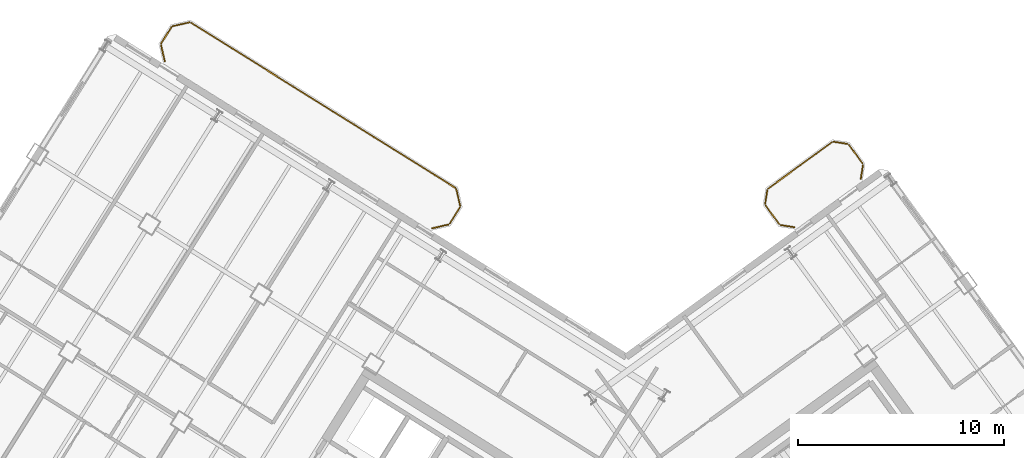
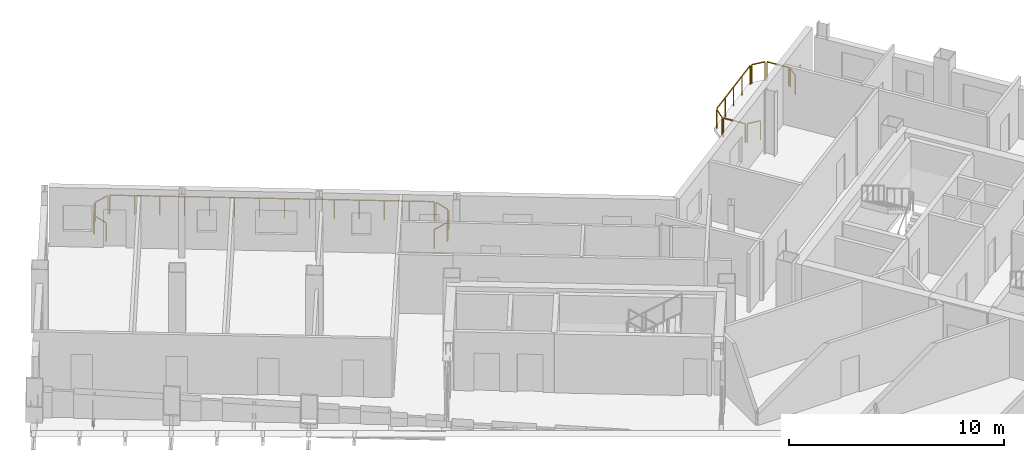
# One storey, part 20 of 20: 14 railings.
"""IFC4 building model written with IfcOpenShell, lengths in metres."""

import ifcopenshell
import ifcopenshell.guid

model = None  # the IFC model being written
_history = None  # IfcOwnerHistory: only IFC2X3 demands one
_inside = {}  # id of a spatial element -> (the spatial element, [elements in it])
_under = {}  # id of a project, library or spatial element -> (it, [spatial elements below it])
_declared = {}  # id of a project -> (the project, [libraries it declares])
_typed = {}  # id of a type object -> (the type object, [elements of that type])
_made_of = {}  # id of a material, layer set ... -> (it, [elements and type objects made of it])


def new_model(schema):
    """Start an empty IFC model of exactly this schema.

    Asked for "IFC4X3", IfcOpenShell would pick the latest addendum, in which some entities
    have other attributes; the version numbers below select the first issue.
    IFC2X3 requires an IfcOwnerHistory on every rooted entity: one is made here for all.
    """
    global model, _history
    if schema == "IFC4X3":
        model = ifcopenshell.file(schema_version=(4, 3, 0, 0))
    else:
        model = ifcopenshell.file(schema=schema)
    _inside.clear()
    _under.clear()
    _declared.clear()
    _typed.clear()
    _made_of.clear()
    _history = None
    if model.schema == "IFC2X3":
        org = make("IfcOrganization", Name="unknown")
        user = make(
            "IfcPersonAndOrganization",
            ThePerson=make("IfcPerson", FamilyName="unknown"),
            TheOrganization=org,
        )
        app = make(
            "IfcApplication",
            ApplicationDeveloper=org,
            Version="unknown",
            ApplicationFullName="unknown",
            ApplicationIdentifier="unknown",
        )
        _history = make(
            "IfcOwnerHistory",
            OwningUser=user,
            OwningApplication=app,
            ChangeAction="ADDED",
            CreationDate=0,
        )
    return model


def make(cls, **values):
    """One entity of the class cls with the attributes given. An attribute that is None is left unset."""
    return model.create_entity(
        cls, **{name: value for name, value in values.items() if value is not None}
    )


def rooted(cls, **values):
    """An entity with a GlobalId (a new one), such as an element, a storey or a relation."""
    return make(cls, GlobalId=ifcopenshell.guid.new(), OwnerHistory=_history, **values)


def si_unit(unit_type, name, prefix=None):
    """IfcSIUnit, for example si_unit("LENGTHUNIT", "METRE", prefix="MILLI")."""
    return make("IfcSIUnit", UnitType=unit_type, Prefix=prefix, Name=name)


def assignment(units):
    """IfcUnitAssignment: the units of a project."""
    return None if units is None else make("IfcUnitAssignment", Units=units)


def point(xyz):
    """IfcCartesianPoint."""
    return None if xyz is None else make("IfcCartesianPoint", Coordinates=xyz)


def direction(xyz):
    """IfcDirection."""
    return None if xyz is None else make("IfcDirection", DirectionRatios=xyz)


def frame(location, z_axis=None, x_axis=None):
    """IfcAxis2Placement3D, a coordinate frame: its origin and axes. An axis left out is left unset."""
    return make(
        "IfcAxis2Placement3D",
        Location=point(location),
        Axis=direction(z_axis),
        RefDirection=direction(x_axis),
    )


def frame_2d(location, x_axis=None):
    """IfcAxis2Placement2D, a coordinate frame in the plane: its origin and x axis."""
    return make(
        "IfcAxis2Placement2D", Location=point(location), RefDirection=direction(x_axis)
    )


def origin():
    """The frame at (0, 0, 0) with its axes left unset."""
    return frame((0.0, 0.0, 0.0))


def origin_2d():
    """The frame at (0, 0) in the plane with its x axis left unset."""
    return frame_2d((0.0, 0.0))


def place(relative_to, where):
    """IfcLocalPlacement: puts the frame where relative to a parent placement (None: the world)."""
    return make(
        "IfcLocalPlacement", PlacementRelTo=relative_to, RelativePlacement=where
    )


def context(
    kind, dimensions, precision=None, world=None, true_north=None, identifier=None
):
    """IfcGeometricRepresentationContext, for example the 3D "Model" context."""
    return make(
        "IfcGeometricRepresentationContext",
        ContextIdentifier=identifier,
        ContextType=kind,
        CoordinateSpaceDimension=dimensions,
        Precision=precision,
        WorldCoordinateSystem=world,
        TrueNorth=true_north,
    )


def subcontext(parent, identifier, kind, view, scale=None):
    """IfcGeometricRepresentationSubContext, for example "Body" below "Model"."""
    return make(
        "IfcGeometricRepresentationSubContext",
        ContextIdentifier=identifier,
        ContextType=kind,
        ParentContext=parent,
        TargetScale=scale,
        TargetView=view,
    )


def project(units=None, contexts=None):
    """IfcProject with its units and contexts."""
    return rooted(
        "IfcProject",
        Name="project",
        RepresentationContexts=contexts,
        UnitsInContext=assignment(units),
    )


def spatial(cls, under=None, at=None, **own):
    """A site, building, storey or space (cls), placed at a placement, below another one or the project."""
    s = rooted(cls, ObjectPlacement=at, **own)
    if under is not None:
        _under.setdefault(under.id(), (under, []))[1].append(s)
    return s


def profile(cls, at=None, kind="AREA", **sizes):
    """A parametric profile (cls). Its sizes go by their IFC names, for example OverallWidth=200.0."""
    return make(cls, ProfileType=kind, Position=at, **sizes)


def rectangle(**sizes):
    """IfcRectangleProfileDef."""
    return profile("IfcRectangleProfileDef", **sizes)


def extrude(swept, where, along, depth):
    """IfcExtrudedAreaSolid: the profile swept, set in the frame where, extruded along a direction by depth."""
    return make(
        "IfcExtrudedAreaSolid",
        SweptArea=swept,
        Position=where,
        ExtrudedDirection=direction(along),
        Depth=depth,
    )


def shape(context_of_items, identifier, shape_type, items):
    """IfcShapeRepresentation: the items that make up one representation, for example the "Body"."""
    return make(
        "IfcShapeRepresentation",
        ContextOfItems=context_of_items,
        RepresentationIdentifier=identifier,
        RepresentationType=shape_type,
        Items=items,
    )


def source(mapping_origin, context_of_items, identifier, shape_type, items):
    """IfcRepresentationMap: a shape defined once, which mapped items show again and again."""
    return make(
        "IfcRepresentationMap",
        MappingOrigin=mapping_origin,
        MappedRepresentation=shape(context_of_items, identifier, shape_type, items),
    )


def transform(
    local_origin,
    x_axis=None,
    y_axis=None,
    z_axis=None,
    scale=None,
    scale2=None,
    scale3=None,
    uniform=True,
):
    """IfcCartesianTransformationOperator3D, or its non-uniform kind. x_axis, y_axis, z_axis: its Axis1, 2, 3."""
    if uniform:
        return make(
            "IfcCartesianTransformationOperator3D",
            Axis1=direction(x_axis),
            Axis2=direction(y_axis),
            LocalOrigin=point(local_origin),
            Scale=scale,
            Axis3=direction(z_axis),
        )
    return make(
        "IfcCartesianTransformationOperator3DnonUniform",
        Axis1=direction(x_axis),
        Axis2=direction(y_axis),
        LocalOrigin=point(local_origin),
        Scale=scale,
        Axis3=direction(z_axis),
        Scale2=scale2,
        Scale3=scale3,
    )


def mapped(mapping_source, mapping_target):
    """IfcMappedItem: shows the shape of a source again, moved by a transform."""
    return make(
        "IfcMappedItem", MappingSource=mapping_source, MappingTarget=mapping_target
    )


def material(Name=None, Category=None):
    """IfcMaterial."""
    return make("IfcMaterial", Name=Name, Category=Category)


def made_of(thing, what):
    """Note that an element or type object is made of a material, layer set ...; save() writes the relation."""
    if what is not None:
        _made_of.setdefault(what.id(), (what, []))[1].append(thing)
    return thing


def type_object(cls, material=None, **own):
    """A type object (cls), such as IfcWallType, which elements share."""
    return made_of(rooted(cls, **own), material)


def element(
    cls,
    number,
    at=None,
    inside=None,
    cuts=None,
    type_object=None,
    material=None,
    context=None,
    identifier="Body",
    shape_type=None,
    held_by="IfcProductDefinitionShape",
    body=None,
    shapes=None,
    **own,
):
    """One element of the class cls, such as IfcWall. Its Tag is "e" and its number.

    at: its placement. inside: the storey or other place that contains it. cuts: it is an
    opening in that element (IfcRelVoidsElement). A single representation is given by context,
    identifier, shape_type and body (its items); several are given by shapes. held_by: the class
    of the entity that holds the representations. save() writes the other relations.
    """
    e = rooted(cls, Tag="e%d" % number, ObjectPlacement=at, **own)
    if body is not None:
        shapes = [shape(context, identifier, shape_type, body)]
    if shapes is not None:
        e.Representation = make(held_by, Representations=shapes)
    if inside is not None:
        _inside.setdefault(inside.id(), (inside, []))[1].append(e)
    if cuts is not None:
        rooted(
            "IfcRelVoidsElement", RelatingBuildingElement=cuts, RelatedOpeningElement=e
        )
    if type_object is not None:
        _typed.setdefault(type_object.id(), (type_object, []))[1].append(e)
    return made_of(e, material)


def aggregate(whole, parts):
    """IfcRelAggregates: a whole, such as a stair, and the parts it consists of."""
    return rooted("IfcRelAggregates", RelatingObject=whole, RelatedObjects=parts)


def save(model, path):
    """Write the relations noted so far, then the file.

    IfcRelAggregates (storeys below a building ...), IfcRelContainedInSpatialStructure (elements
    in a storey), IfcRelDefinesByType, IfcRelAssociatesMaterial and IfcRelDeclares: one each for
    every whole, place, type object, material and project.
    """
    for whole, parts in _under.values():
        aggregate(whole, parts)
    for where, things in _inside.values():
        rooted(
            "IfcRelContainedInSpatialStructure",
            RelatedElements=things,
            RelatingStructure=where,
        )
    for kind, things in _typed.values():
        rooted("IfcRelDefinesByType", RelatedObjects=things, RelatingType=kind)
    for what, things in _made_of.values():
        rooted("IfcRelAssociatesMaterial", RelatedObjects=things, RelatingMaterial=what)
    for by, libraries in _declared.values():
        rooted("IfcRelDeclares", RelatingContext=by, RelatedDefinitions=libraries)
    model.write(path)


model = new_model("IFC4")

# Units and contexts
model_context = context("Model", 3, precision=1e-05, world=origin(), true_north=direction((0.0, 1.0)))
body_context = subcontext(model_context, "Body", "Model", "MODEL_VIEW")
ifc_project = project(units=[si_unit("LENGTHUNIT", "METRE"), si_unit("AREAUNIT", "SQUARE_METRE"), si_unit("VOLUMEUNIT", "CUBIC_METRE"), si_unit("PLANEANGLEUNIT", "RADIAN"), si_unit("MASSUNIT", "GRAM", prefix="KILO")], contexts=[model_context])

# Site, building, storey
site_placement = place(None, origin())
site = spatial("IfcSite", under=ifc_project, at=site_placement, CompositionType="ELEMENT")
building_placement = place(site_placement, origin())
building = spatial("IfcBuilding", under=site, at=building_placement, Name="Tlacorven Tower", CompositionType="ELEMENT")
storey_placement = place(building_placement, frame((0.0, 0.0, 211.199951171875)))
storey = spatial("IfcBuildingStorey", under=building, at=storey_placement, Name="L53", CompositionType="ELEMENT", Elevation=211.199951171875)

# Railings
ifc_material = material(Name="Aluminium and painted steel balustrade", Category="steel")
railing_type = type_object("IfcRailingType", Name="RL-BAL-1100", PredefinedType="BALUSTRADE", material=ifc_material)
shared_shape_1 = source(origin(), body_context, "Body", "SweptSolid", [
    extrude(rectangle(XDim=0.048095703125, YDim=0.048095703125, at=origin_2d()), frame((0.0, 0.0, 1.076171875), z_axis=(0.974345290916, 0.225058334816, 0.0), x_axis=(-0.225058334816, 0.974345290916, 0.0)), (0.0, 0.0, 1.0), 0.80712890625),
    extrude(rectangle(XDim=0.0419921875, YDim=0.0419921875, at=origin_2d()), origin(), (0.0, 0.0, 1.0), 1.052001953125),
    extrude(rectangle(XDim=0.0419921875, YDim=0.0419921875, at=origin_2d()), frame((0.786376953125, 0.181640625, 0.0)), (0.0, 0.0, 1.0), 1.052001953125),
])
railing_1_placement = place(storey_placement, frame((20.2138671875, 47.643798828125, 0.0)))
element("IfcRailing", 1, at=railing_1_placement, inside=storey, type_object=railing_type, Name="BAL-L53-W-IN Guard Railing 6", PredefinedType="BALUSTRADE", context=body_context, shape_type="MappedRepresentation", body=[
    mapped(shared_shape_1, transform((0.0, 0.0, 0.0), scale=1.0)),
])
shared_shape_2 = source(origin(), body_context, "Body", "SweptSolid", [
    extrude(rectangle(XDim=0.048095703125, YDim=0.048095703125, at=origin_2d()), frame((0.0, 0.0, 1.076171875), z_axis=(-0.987661653326, 0.156602868908, 0.0), x_axis=(-0.156602868908, -0.987661653326, 0.0)), (0.0, 0.0, 1.0), 0.665771484375),
    extrude(rectangle(XDim=0.0419921875, YDim=0.0419921875, at=origin_2d()), origin(), (0.0, 0.0, 1.0), 1.052001953125),
    extrude(rectangle(XDim=0.0419921875, YDim=0.0419921875, at=origin_2d()), frame((-0.657470703125, 0.104248046875, 0.0)), (0.0, 0.0, 1.0), 1.052001953125),
])
railing_2_placement = place(storey_placement, frame((50.359130859375, 37.891845703125, 0.0)))
element("IfcRailing", 2, at=railing_2_placement, inside=storey, type_object=railing_type, Name="BAL-L53-E-IN Guard Railing 1", PredefinedType="BALUSTRADE", context=body_context, shape_type="MappedRepresentation", body=[
    mapped(shared_shape_2, transform((0.0, 0.0, 0.0), scale=1.0)),
])
shared_shape_3 = source(origin(), body_context, "Body", "SweptSolid", [
    extrude(rectangle(XDim=0.048095703125, YDim=0.048095703125, at=origin_2d()), frame((0.0, 0.0, 1.076171875), z_axis=(0.156602868908, 0.987661653326, 0.0), x_axis=(-0.987661653326, 0.156602868908, 0.0)), (0.0, 0.0, 1.0), 0.665771484375),
    extrude(rectangle(XDim=0.0419921875, YDim=0.0419921875, at=origin_2d()), origin(), (0.0, 0.0, 1.0), 1.052001953125),
    extrude(rectangle(XDim=0.0419921875, YDim=0.0419921875, at=origin_2d()), frame((0.104248046875, 0.657470703125, 0.0)), (0.0, 0.0, 1.0), 1.052001953125),
])
railing_3_placement = place(storey_placement, frame((48.947509765625, 39.033935546875, 0.0)))
element("IfcRailing", 3, at=railing_3_placement, inside=storey, type_object=railing_type, Name="BAL-L53-E-IN Guard Railing 3", PredefinedType="BALUSTRADE", context=body_context, shape_type="MappedRepresentation", body=[
    mapped(shared_shape_3, transform((0.0, 0.0, 0.0), scale=1.0)),
])
shared_shape_4 = source(origin(), body_context, "Body", "SweptSolid", [
    extrude(rectangle(XDim=0.048095703125, YDim=0.048095703125, at=origin_2d()), frame((0.0, 0.0, 1.076171875), z_axis=(-0.156245081039, -0.987718317463, 0.0), x_axis=(0.987718317463, -0.156245081039, 0.0)), (0.0, 0.0, 1.0), 0.66552734375),
    extrude(rectangle(XDim=0.0419921875, YDim=0.0419921875, at=origin_2d()), origin(), (0.0, 0.0, 1.0), 1.052001953125),
    extrude(rectangle(XDim=0.0419921875, YDim=0.0419921875, at=origin_2d()), frame((-0.10400390625, -0.657470703125, 0.0)), (0.0, 0.0, 1.0), 1.052001953125),
])
railing_4_placement = place(storey_placement, frame((53.689453125, 40.893310546875, 0.0)))
element("IfcRailing", 4, at=railing_4_placement, inside=storey, type_object=railing_type, Name="BAL-L53-E-IN Guard Railing 7", PredefinedType="BALUSTRADE", context=body_context, shape_type="MappedRepresentation", body=[
    mapped(shared_shape_4, transform((0.0, 0.0, 0.0), scale=1.0)),
])
shared_shape_5 = source(origin(), body_context, "Body", "SweptSolid", [
    extrude(rectangle(XDim=0.048095703125, YDim=0.048095703125, at=origin_2d()), frame((0.0, 0.0, 1.076171875), z_axis=(0.529998940003, 0.847998304005, 0.0), x_axis=(-0.847998304005, 0.529998940003, 0.0)), (0.0, 0.0, 1.0), 0.912109375),
    extrude(rectangle(XDim=0.0419921875, YDim=0.0419921875, at=origin_2d()), origin(), (0.0, 0.0, 1.0), 1.052001953125),
    extrude(rectangle(XDim=0.0419921875, YDim=0.0419921875, at=origin_2d()), frame((0.4833984375, 0.7734375, 0.0)), (0.0, 0.0, 1.0), 1.052001953125),
])
railing_5_placement = place(storey_placement, frame((19.6552734375, 46.816650390625, 0.0)))
element("IfcRailing", 5, at=railing_5_placement, inside=storey, type_object=railing_type, Name="BAL-L53-W-IN Guard Railing 5", PredefinedType="BALUSTRADE", context=body_context, shape_type="MappedRepresentation", body=[
    mapped(shared_shape_5, transform((0.0, 0.0, 0.0), scale=1.0)),
])
shared_shape_6 = source(origin(), body_context, "Body", "SweptSolid", [
    extrude(rectangle(XDim=0.048095703125, YDim=0.048095703125, at=origin_2d()), frame((0.0, 0.0, 1.076171875), z_axis=(0.224992020761, -0.974360606036, 0.0), x_axis=(0.974360606036, 0.224992020761, 0.0)), (0.0, 0.0, 1.0), 0.807373046875),
    extrude(rectangle(XDim=0.0419921875, YDim=0.0419921875, at=origin_2d()), origin(), (0.0, 0.0, 1.0), 1.052001953125),
    extrude(rectangle(XDim=0.0419921875, YDim=0.0419921875, at=origin_2d()), frame((0.181640625, -0.78662109375, 0.0)), (0.0, 0.0, 1.0), 1.052001953125),
])
railing_6_placement = place(storey_placement, frame((33.965087890625, 39.72412109375, 0.0)))
element("IfcRailing", 6, at=railing_6_placement, inside=storey, type_object=railing_type, Name="BAL-L53-W-IN Guard Railing 1", PredefinedType="BALUSTRADE", context=body_context, shape_type="MappedRepresentation", body=[
    mapped(shared_shape_6, transform((0.0, 0.0, 0.0), scale=1.0)),
])
shared_shape_7 = source(origin(), body_context, "Body", "SweptSolid", [
    extrude(rectangle(XDim=0.048095703125, YDim=0.048095703125, at=origin_2d()), frame((0.0, 0.0, 1.076171875), z_axis=(-0.529998940003, -0.847998304005, 0.0), x_axis=(0.847998304005, -0.529998940003, 0.0)), (0.0, 0.0, 1.0), 0.912109375),
    extrude(rectangle(XDim=0.0419921875, YDim=0.0419921875, at=origin_2d()), origin(), (0.0, 0.0, 1.0), 1.052001953125),
    extrude(rectangle(XDim=0.0419921875, YDim=0.0419921875, at=origin_2d()), frame((-0.4833984375, -0.7734375, 0.0)), (0.0, 0.0, 1.0), 1.052001953125),
])
railing_7_placement = place(storey_placement, frame((34.131591796875, 38.846435546875, 0.0)))
element("IfcRailing", 7, at=railing_7_placement, inside=storey, type_object=railing_type, Name="BAL-L53-W-IN Guard Railing 2", PredefinedType="BALUSTRADE", context=body_context, shape_type="MappedRepresentation", body=[
    mapped(shared_shape_7, transform((0.0, 0.0, 0.0), scale=1.0)),
])
shared_shape_8 = source(origin(), body_context, "Body", "SweptSolid", [
    extrude(rectangle(XDim=0.048095703125, YDim=0.048095703125, at=origin_2d()), frame((0.0, 0.0, 1.076171875), z_axis=(-0.974360606036, -0.224992020761, 0.0), x_axis=(0.224992020761, -0.974360606036, 0.0)), (0.0, 0.0, 1.0), 0.807373046875),
    extrude(rectangle(XDim=0.0419921875, YDim=0.0419921875, at=origin_2d()), origin(), (0.0, 0.0, 1.0), 1.052001953125),
    extrude(rectangle(XDim=0.0419921875, YDim=0.0419921875, at=origin_2d()), frame((-0.78662109375, -0.181640625, 0.0)), (0.0, 0.0, 1.0), 1.052001953125),
])
railing_8_placement = place(storey_placement, frame((33.572998046875, 38.019287109375, 0.0)))
element("IfcRailing", 8, at=railing_8_placement, inside=storey, type_object=railing_type, Name="BAL-L53-W-IN Guard Railing 3", PredefinedType="BALUSTRADE", context=body_context, shape_type="MappedRepresentation", body=[
    mapped(shared_shape_8, transform((0.0, 0.0, 0.0), scale=1.0)),
])
shared_shape_9 = source(origin(), body_context, "Body", "SweptSolid", [
    extrude(rectangle(XDim=0.048095703125, YDim=0.048095703125, at=origin_2d()), frame((0.0, 0.0, 1.076171875), z_axis=(-0.22470489119, 0.974426863277, 0.0), x_axis=(-0.974426863277, -0.22470489119, 0.0)), (0.0, 0.0, 1.0), 0.807373046875),
    extrude(rectangle(XDim=0.0419921875, YDim=0.0419921875, at=origin_2d()), origin(), (0.0, 0.0, 1.0), 1.052001953125),
    extrude(rectangle(XDim=0.0419921875, YDim=0.0419921875, at=origin_2d()), frame((-0.181396484375, 0.78662109375, 0.0)), (0.0, 0.0, 1.0), 1.052001953125),
])
railing_9_placement = place(storey_placement, frame((19.821533203125, 45.93896484375, 0.0)))
element("IfcRailing", 9, at=railing_9_placement, inside=storey, type_object=railing_type, Name="BAL-L53-W-IN Guard Railing 4", PredefinedType="BALUSTRADE", context=body_context, shape_type="MappedRepresentation", body=[
    mapped(shared_shape_9, transform((0.0, 0.0, 0.0), scale=1.0)),
])
shared_shape_10 = source(origin(), body_context, "Body", "SweptSolid", [
    extrude(rectangle(XDim=0.048095703125, YDim=0.048095703125, at=origin_2d()), frame((0.0, 0.0, 1.076171875), z_axis=(0.848051830527, -0.529913287944, 0.0), x_axis=(0.529913287944, 0.848051830527, 0.0)), (0.0, 0.0, 1.0), 15.1171875),
    extrude(rectangle(XDim=0.0419921875, YDim=0.0419921875, at=origin_2d()), origin(), (0.0, 0.0, 1.0), 1.052001953125),
    extrude(rectangle(XDim=0.0419921875, YDim=0.0419921875, at=origin_2d()), frame((0.986083984375, -0.6162109375, 0.0)), (0.0, 0.0, 1.0), 1.052001953125),
    extrude(rectangle(XDim=0.0419921875, YDim=0.0419921875, at=origin_2d()), frame((1.972412109375, -1.232421875, 0.0)), (0.0, 0.0, 1.0), 1.052001953125),
    extrude(rectangle(XDim=0.0419921875, YDim=0.0419921875, at=origin_2d()), frame((2.95849609375, -1.8486328125, 0.0)), (0.0, 0.0, 1.0), 1.052001953125),
    extrude(rectangle(XDim=0.0419921875, YDim=0.0419921875, at=origin_2d()), frame((3.944580078125, -2.46484375, 0.0)), (0.0, 0.0, 1.0), 1.052001953125),
    extrude(rectangle(XDim=0.0419921875, YDim=0.0419921875, at=origin_2d()), frame((4.930908203125, -3.0810546875, 0.0)), (0.0, 0.0, 1.0), 1.052001953125),
    extrude(rectangle(XDim=0.0419921875, YDim=0.0419921875, at=origin_2d()), frame((5.9169921875, -3.697265625, 0.0)), (0.0, 0.0, 1.0), 1.052001953125),
    extrude(rectangle(XDim=0.0419921875, YDim=0.0419921875, at=origin_2d()), frame((6.903076171875, -4.3134765625, 0.0)), (0.0, 0.0, 1.0), 1.052001953125),
    extrude(rectangle(XDim=0.0419921875, YDim=0.0419921875, at=origin_2d()), frame((7.88916015625, -4.9296875, 0.0)), (0.0, 0.0, 1.0), 1.052001953125),
    extrude(rectangle(XDim=0.0419921875, YDim=0.0419921875, at=origin_2d()), frame((8.87548828125, -5.5458984375, 0.0)), (0.0, 0.0, 1.0), 1.052001953125),
    extrude(rectangle(XDim=0.0419921875, YDim=0.0419921875, at=origin_2d()), frame((9.861572265625, -6.162109375, 0.0)), (0.0, 0.0, 1.0), 1.052001953125),
    extrude(rectangle(XDim=0.0419921875, YDim=0.0419921875, at=origin_2d()), frame((10.84765625, -6.7783203125, 0.0)), (0.0, 0.0, 1.0), 1.052001953125),
    extrude(rectangle(XDim=0.0419921875, YDim=0.0419921875, at=origin_2d()), frame((11.833984375, -7.39453125, 0.0)), (0.0, 0.0, 1.0), 1.052001953125),
    extrude(rectangle(XDim=0.0419921875, YDim=0.0419921875, at=origin_2d()), frame((12.820068359375, -8.0107421875, 0.0)), (0.0, 0.0, 1.0), 1.052001953125),
])
railing_10_placement = place(storey_placement, frame((21.091552734375, 47.81005859375, 0.0)))
element("IfcRailing", 10, at=railing_10_placement, inside=storey, type_object=railing_type, Name="BAL-L53-W-IN Guard Railing 7", PredefinedType="BALUSTRADE", context=body_context, shape_type="MappedRepresentation", body=[
    mapped(shared_shape_10, transform((0.0, 0.0, 0.0), scale=1.0)),
])
shared_shape_11 = source(origin(), body_context, "Body", "SweptSolid", [
    extrude(rectangle(XDim=0.048095703125, YDim=0.048095703125, at=origin_2d()), frame((0.0, 0.0, 1.076171875), z_axis=(-0.587636431696, 0.809125097957, 0.0), x_axis=(-0.809125097957, -0.587636431696, 0.0)), (0.0, 0.0, 1.0), 1.1123046875),
    extrude(rectangle(XDim=0.0419921875, YDim=0.0419921875, at=origin_2d()), origin(), (0.0, 0.0, 1.0), 1.052001953125),
    extrude(rectangle(XDim=0.0419921875, YDim=0.0419921875, at=origin_2d()), frame((-0.653564453125, 0.89990234375, 0.0)), (0.0, 0.0, 1.0), 1.052001953125),
])
railing_11_placement = place(storey_placement, frame((49.622802734375, 38.044189453125, 0.0)))
element("IfcRailing", 11, at=railing_11_placement, inside=storey, type_object=railing_type, Name="BAL-L53-E-IN Guard Railing 2", PredefinedType="BALUSTRADE", context=body_context, shape_type="MappedRepresentation", body=[
    mapped(shared_shape_11, transform((0.0, 0.0, 0.0), scale=1.0)),
])
shared_shape_12 = source(origin(), body_context, "Body", "SweptSolid", [
    extrude(rectangle(XDim=0.048095703125, YDim=0.048095703125, at=origin_2d()), frame((0.0, 0.0, 1.076171875), z_axis=(0.809018102573, 0.587783726986, 0.0), x_axis=(-0.587783726986, 0.809018102573, 0.0)), (0.0, 0.0, 1.0), 3.817138671875),
    extrude(rectangle(XDim=0.0419921875, YDim=0.0419921875, at=origin_2d()), origin(), (0.0, 0.0, 1.0), 1.052001953125),
    extrude(rectangle(XDim=0.0419921875, YDim=0.0419921875, at=origin_2d()), frame((0.77197265625, 0.56103515625, 0.0)), (0.0, 0.0, 1.0), 1.052001953125),
    extrude(rectangle(XDim=0.0419921875, YDim=0.0419921875, at=origin_2d()), frame((1.5439453125, 1.121826171875, 0.0)), (0.0, 0.0, 1.0), 1.052001953125),
    extrude(rectangle(XDim=0.0419921875, YDim=0.0419921875, at=origin_2d()), frame((2.316162109375, 1.6826171875, 0.0)), (0.0, 0.0, 1.0), 1.052001953125),
    extrude(rectangle(XDim=0.0419921875, YDim=0.0419921875, at=origin_2d()), frame((3.088134765625, 2.24365234375, 0.0)), (0.0, 0.0, 1.0), 1.052001953125),
])
railing_12_placement = place(storey_placement, frame((49.10009765625, 39.77001953125, 0.0)))
element("IfcRailing", 12, at=railing_12_placement, inside=storey, type_object=railing_type, Name="BAL-L53-E-IN Guard Railing 4", PredefinedType="BALUSTRADE", context=body_context, shape_type="MappedRepresentation", body=[
    mapped(shared_shape_12, transform((0.0, 0.0, 0.0), scale=1.0)),
])
shared_shape_13 = source(origin(), body_context, "Body", "SweptSolid", [
    extrude(rectangle(XDim=0.048095703125, YDim=0.048095703125, at=origin_2d()), frame((0.0, 0.0, 1.076171875), z_axis=(0.987661653326, -0.156602868908, 0.0), x_axis=(0.156602868908, 0.987661653326, 0.0)), (0.0, 0.0, 1.0), 0.665771484375),
    extrude(rectangle(XDim=0.0419921875, YDim=0.0419921875, at=origin_2d()), origin(), (0.0, 0.0, 1.0), 1.052001953125),
    extrude(rectangle(XDim=0.0419921875, YDim=0.0419921875, at=origin_2d()), frame((0.657470703125, -0.104248046875, 0.0)), (0.0, 0.0, 1.0), 1.052001953125),
])
railing_13_placement = place(storey_placement, frame((52.278076171875, 42.035400390625, 0.0)))
element("IfcRailing", 13, at=railing_13_placement, inside=storey, type_object=railing_type, Name="BAL-L53-E-IN Guard Railing 5", PredefinedType="BALUSTRADE", context=body_context, shape_type="MappedRepresentation", body=[
    mapped(shared_shape_13, transform((0.0, 0.0, 0.0), scale=1.0)),
])
shared_shape_14 = source(origin(), body_context, "Body", "SweptSolid", [
    extrude(rectangle(XDim=0.048095703125, YDim=0.048095703125, at=origin_2d()), frame((0.0, 0.0, 1.076171875), z_axis=(0.587780115446, -0.809020726488, 0.0), x_axis=(0.809020726488, 0.587780115446, 0.0)), (0.0, 0.0, 1.0), 1.1123046875),
    extrude(rectangle(XDim=0.0419921875, YDim=0.0419921875, at=origin_2d()), origin(), (0.0, 0.0, 1.0), 1.052001953125),
    extrude(rectangle(XDim=0.0419921875, YDim=0.0419921875, at=origin_2d()), frame((0.65380859375, -0.89990234375, 0.0)), (0.0, 0.0, 1.0), 1.052001953125),
])
railing_14_placement = place(storey_placement, frame((53.01416015625, 41.883056640625, 0.0)))
element("IfcRailing", 14, at=railing_14_placement, inside=storey, type_object=railing_type, Name="BAL-L53-E-IN Guard Railing 6", PredefinedType="BALUSTRADE", context=body_context, shape_type="MappedRepresentation", body=[
    mapped(shared_shape_14, transform((0.0, 0.0, 0.0), scale=1.0)),
])

save(model, "model.ifc")
